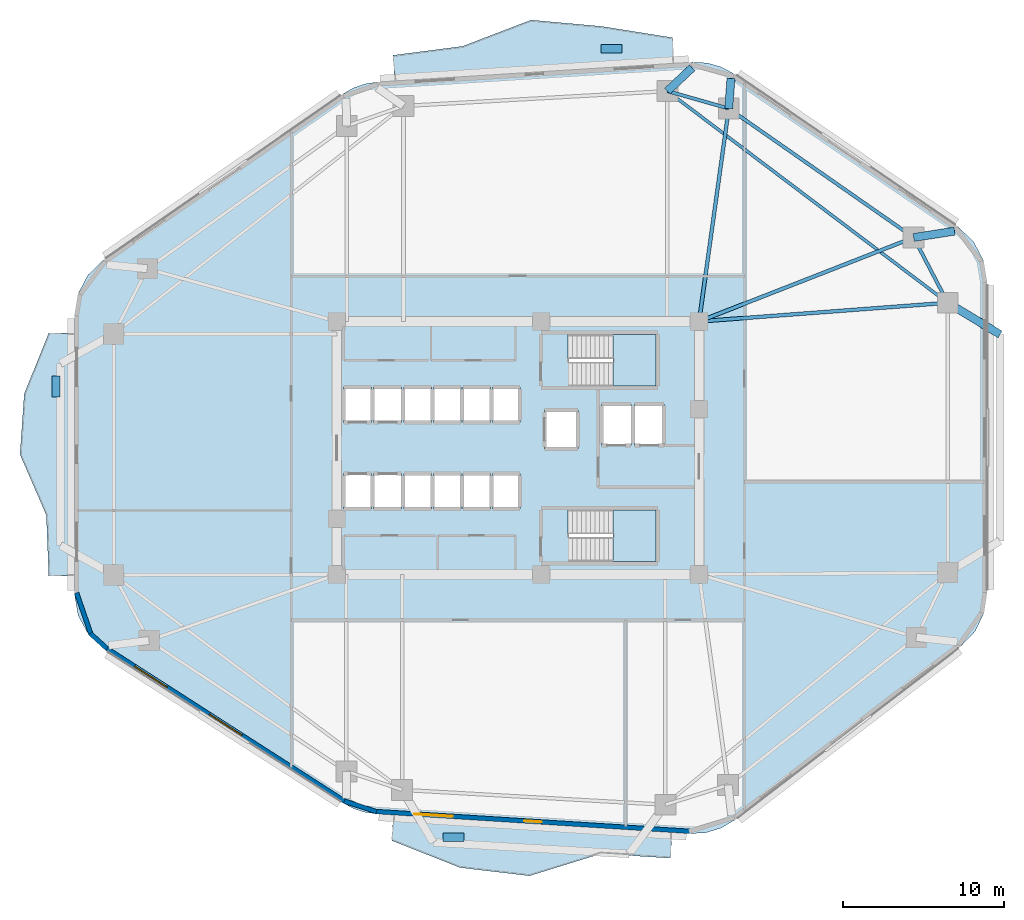
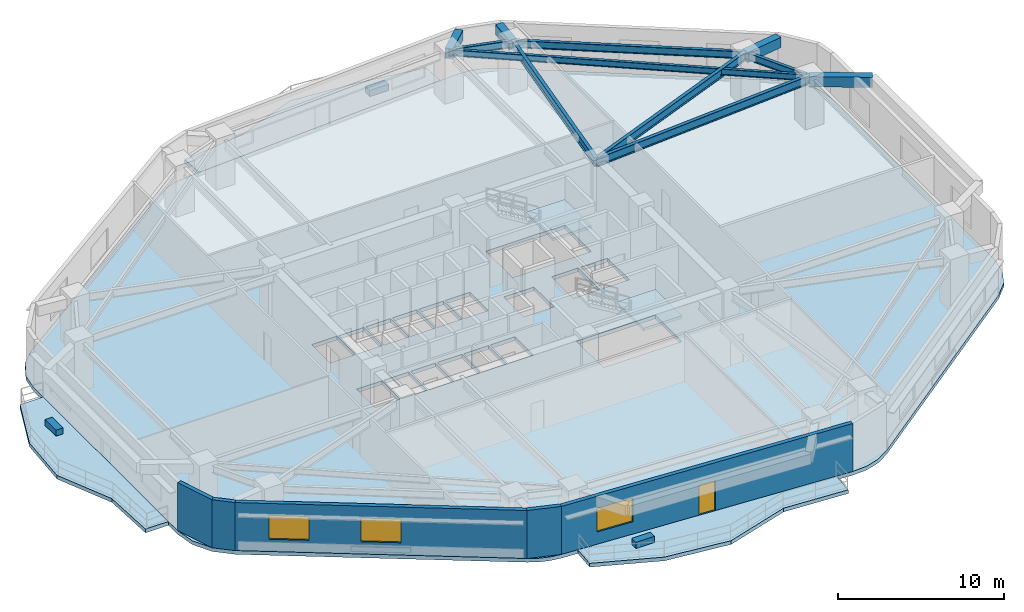
# One storey, part 2 of 9: 11 beams, 6 slabs, 5 walls, 3 plates, 3 windows, 1 door, 4 openings, 2 elements without a shape of their own.
"""IFC4 building model written with IfcOpenShell, lengths in metres."""

import ifcopenshell
import ifcopenshell.guid

model = None  # the IFC model being written
_history = None  # IfcOwnerHistory: only IFC2X3 demands one
_inside = {}  # id of a spatial element -> (the spatial element, [elements in it])
_under = {}  # id of a project, library or spatial element -> (it, [spatial elements below it])
_declared = {}  # id of a project -> (the project, [libraries it declares])
_typed = {}  # id of a type object -> (the type object, [elements of that type])
_made_of = {}  # id of a material, layer set ... -> (it, [elements and type objects made of it])


def new_model(schema):
    """Start an empty IFC model of exactly this schema.

    Asked for "IFC4X3", IfcOpenShell would pick the latest addendum, in which some entities
    have other attributes; the version numbers below select the first issue.
    IFC2X3 requires an IfcOwnerHistory on every rooted entity: one is made here for all.
    """
    global model, _history
    if schema == "IFC4X3":
        model = ifcopenshell.file(schema_version=(4, 3, 0, 0))
    else:
        model = ifcopenshell.file(schema=schema)
    _inside.clear()
    _under.clear()
    _declared.clear()
    _typed.clear()
    _made_of.clear()
    _history = None
    if model.schema == "IFC2X3":
        org = make("IfcOrganization", Name="unknown")
        user = make(
            "IfcPersonAndOrganization",
            ThePerson=make("IfcPerson", FamilyName="unknown"),
            TheOrganization=org,
        )
        app = make(
            "IfcApplication",
            ApplicationDeveloper=org,
            Version="unknown",
            ApplicationFullName="unknown",
            ApplicationIdentifier="unknown",
        )
        _history = make(
            "IfcOwnerHistory",
            OwningUser=user,
            OwningApplication=app,
            ChangeAction="ADDED",
            CreationDate=0,
        )
    return model


def make(cls, **values):
    """One entity of the class cls with the attributes given. An attribute that is None is left unset."""
    return model.create_entity(
        cls, **{name: value for name, value in values.items() if value is not None}
    )


def rooted(cls, **values):
    """An entity with a GlobalId (a new one), such as an element, a storey or a relation."""
    return make(cls, GlobalId=ifcopenshell.guid.new(), OwnerHistory=_history, **values)


def si_unit(unit_type, name, prefix=None):
    """IfcSIUnit, for example si_unit("LENGTHUNIT", "METRE", prefix="MILLI")."""
    return make("IfcSIUnit", UnitType=unit_type, Prefix=prefix, Name=name)


def assignment(units):
    """IfcUnitAssignment: the units of a project."""
    return None if units is None else make("IfcUnitAssignment", Units=units)


def point(xyz):
    """IfcCartesianPoint."""
    return None if xyz is None else make("IfcCartesianPoint", Coordinates=xyz)


def direction(xyz):
    """IfcDirection."""
    return None if xyz is None else make("IfcDirection", DirectionRatios=xyz)


def frame(location, z_axis=None, x_axis=None):
    """IfcAxis2Placement3D, a coordinate frame: its origin and axes. An axis left out is left unset."""
    return make(
        "IfcAxis2Placement3D",
        Location=point(location),
        Axis=direction(z_axis),
        RefDirection=direction(x_axis),
    )


def frame_2d(location, x_axis=None):
    """IfcAxis2Placement2D, a coordinate frame in the plane: its origin and x axis."""
    return make(
        "IfcAxis2Placement2D", Location=point(location), RefDirection=direction(x_axis)
    )


def origin():
    """The frame at (0, 0, 0) with its axes left unset."""
    return frame((0.0, 0.0, 0.0))


def origin_2d():
    """The frame at (0, 0) in the plane with its x axis left unset."""
    return frame_2d((0.0, 0.0))


def place(relative_to, where):
    """IfcLocalPlacement: puts the frame where relative to a parent placement (None: the world)."""
    return make(
        "IfcLocalPlacement", PlacementRelTo=relative_to, RelativePlacement=where
    )


def context(
    kind, dimensions, precision=None, world=None, true_north=None, identifier=None
):
    """IfcGeometricRepresentationContext, for example the 3D "Model" context."""
    return make(
        "IfcGeometricRepresentationContext",
        ContextIdentifier=identifier,
        ContextType=kind,
        CoordinateSpaceDimension=dimensions,
        Precision=precision,
        WorldCoordinateSystem=world,
        TrueNorth=true_north,
    )


def subcontext(parent, identifier, kind, view, scale=None):
    """IfcGeometricRepresentationSubContext, for example "Body" below "Model"."""
    return make(
        "IfcGeometricRepresentationSubContext",
        ContextIdentifier=identifier,
        ContextType=kind,
        ParentContext=parent,
        TargetScale=scale,
        TargetView=view,
    )


def project(units=None, contexts=None):
    """IfcProject with its units and contexts."""
    return rooted(
        "IfcProject",
        Name="project",
        RepresentationContexts=contexts,
        UnitsInContext=assignment(units),
    )


def spatial(cls, under=None, at=None, **own):
    """A site, building, storey or space (cls), placed at a placement, below another one or the project."""
    s = rooted(cls, ObjectPlacement=at, **own)
    if under is not None:
        _under.setdefault(under.id(), (under, []))[1].append(s)
    return s


def polyline(points):
    """IfcPolyline through the points."""
    return make("IfcPolyline", Points=[point(p) for p in points])


def profile(cls, at=None, kind="AREA", **sizes):
    """A parametric profile (cls). Its sizes go by their IFC names, for example OverallWidth=200.0."""
    return make(cls, ProfileType=kind, Position=at, **sizes)


def rectangle(**sizes):
    """IfcRectangleProfileDef."""
    return profile("IfcRectangleProfileDef", **sizes)


def i_section(**sizes):
    """IfcIShapeProfileDef."""
    return profile("IfcIShapeProfileDef", **sizes)


def outline(outer, holes=None, kind="AREA"):
    """IfcArbitraryClosedProfileDef: a profile drawn as a closed curve; with holes, ...WithVoids."""
    if holes is None:
        return make("IfcArbitraryClosedProfileDef", ProfileType=kind, OuterCurve=outer)
    return make(
        "IfcArbitraryProfileDefWithVoids",
        ProfileType=kind,
        OuterCurve=outer,
        InnerCurves=holes,
    )


def extrude(swept, where, along, depth):
    """IfcExtrudedAreaSolid: the profile swept, set in the frame where, extruded along a direction by depth."""
    return make(
        "IfcExtrudedAreaSolid",
        SweptArea=swept,
        Position=where,
        ExtrudedDirection=direction(along),
        Depth=depth,
    )


def shape(context_of_items, identifier, shape_type, items):
    """IfcShapeRepresentation: the items that make up one representation, for example the "Body"."""
    return make(
        "IfcShapeRepresentation",
        ContextOfItems=context_of_items,
        RepresentationIdentifier=identifier,
        RepresentationType=shape_type,
        Items=items,
    )


def material(Name=None, Category=None):
    """IfcMaterial."""
    return make("IfcMaterial", Name=Name, Category=Category)


def layer(
    of_material, thickness, ventilated=None, Name=None, Category=None, Priority=None
):
    """IfcMaterialLayer: one layer of a wall or slab, of a material (None: an air gap)."""
    return make(
        "IfcMaterialLayer",
        Material=of_material,
        LayerThickness=thickness,
        IsVentilated=ventilated,
        Name=Name,
        Category=Category,
        Priority=Priority,
    )


def layer_set(layers, Name=None):
    """IfcMaterialLayerSet."""
    return make("IfcMaterialLayerSet", MaterialLayers=layers, LayerSetName=Name)


def material_profile(
    of_material, cross_section, Name=None, Category=None, Priority=None
):
    """IfcMaterialProfile: a cross section and its material."""
    return make(
        "IfcMaterialProfile",
        Name=Name,
        Material=of_material,
        Profile=cross_section,
        Priority=Priority,
        Category=Category,
    )


def profile_set(profiles, Name=None, composite=None):
    """IfcMaterialProfileSet."""
    return make(
        "IfcMaterialProfileSet",
        Name=Name,
        MaterialProfiles=profiles,
        CompositeProfile=composite,
    )


def made_of(thing, what):
    """Note that an element or type object is made of a material, layer set ...; save() writes the relation."""
    if what is not None:
        _made_of.setdefault(what.id(), (what, []))[1].append(thing)
    return thing


def type_object(cls, material=None, **own):
    """A type object (cls), such as IfcWallType, which elements share."""
    return made_of(rooted(cls, **own), material)


def element(
    cls,
    number,
    at=None,
    inside=None,
    cuts=None,
    type_object=None,
    material=None,
    context=None,
    identifier="Body",
    shape_type=None,
    held_by="IfcProductDefinitionShape",
    body=None,
    shapes=None,
    **own,
):
    """One element of the class cls, such as IfcWall. Its Tag is "e" and its number.

    at: its placement. inside: the storey or other place that contains it. cuts: it is an
    opening in that element (IfcRelVoidsElement). A single representation is given by context,
    identifier, shape_type and body (its items); several are given by shapes. held_by: the class
    of the entity that holds the representations. save() writes the other relations.
    """
    e = rooted(cls, Tag="e%d" % number, ObjectPlacement=at, **own)
    if body is not None:
        shapes = [shape(context, identifier, shape_type, body)]
    if shapes is not None:
        e.Representation = make(held_by, Representations=shapes)
    if inside is not None:
        _inside.setdefault(inside.id(), (inside, []))[1].append(e)
    if cuts is not None:
        rooted(
            "IfcRelVoidsElement", RelatingBuildingElement=cuts, RelatedOpeningElement=e
        )
    if type_object is not None:
        _typed.setdefault(type_object.id(), (type_object, []))[1].append(e)
    return made_of(e, material)


def fill(opening, filler):
    """IfcRelFillsElement: the door or window that sits in an opening."""
    return rooted(
        "IfcRelFillsElement",
        RelatingOpeningElement=opening,
        RelatedBuildingElement=filler,
    )


def aggregate(whole, parts):
    """IfcRelAggregates: a whole, such as a stair, and the parts it consists of."""
    return rooted("IfcRelAggregates", RelatingObject=whole, RelatedObjects=parts)


def save(model, path):
    """Write the relations noted so far, then the file.

    IfcRelAggregates (storeys below a building ...), IfcRelContainedInSpatialStructure (elements
    in a storey), IfcRelDefinesByType, IfcRelAssociatesMaterial and IfcRelDeclares: one each for
    every whole, place, type object, material and project.
    """
    for whole, parts in _under.values():
        aggregate(whole, parts)
    for where, things in _inside.values():
        rooted(
            "IfcRelContainedInSpatialStructure",
            RelatedElements=things,
            RelatingStructure=where,
        )
    for kind, things in _typed.values():
        rooted("IfcRelDefinesByType", RelatedObjects=things, RelatingType=kind)
    for what, things in _made_of.values():
        rooted("IfcRelAssociatesMaterial", RelatedObjects=things, RelatingMaterial=what)
    for by, libraries in _declared.values():
        rooted("IfcRelDeclares", RelatingContext=by, RelatedDefinitions=libraries)
    model.write(path)


model = new_model("IFC4")

# Units and contexts
model_context = context("Model", 3, precision=1e-05, world=origin(), true_north=direction((0.0, 1.0)))
body_context = subcontext(model_context, "Body", "Model", "MODEL_VIEW")
ifc_project = project(units=[si_unit("LENGTHUNIT", "METRE"), si_unit("AREAUNIT", "SQUARE_METRE"), si_unit("VOLUMEUNIT", "CUBIC_METRE"), si_unit("PLANEANGLEUNIT", "RADIAN"), si_unit("MASSUNIT", "GRAM", prefix="KILO")], contexts=[model_context])

# Site, building, storey
site_placement = place(None, origin())
site = spatial("IfcSite", under=ifc_project, at=site_placement, CompositionType="ELEMENT")
building_placement = place(site_placement, origin())
building = spatial("IfcBuilding", under=site, at=building_placement, Name="Zulverin Broadcast Headquarters", CompositionType="ELEMENT")
storey_placement = place(building_placement, frame((0.0, 0.0, 74.39990234375)))
storey = spatial("IfcBuildingStorey", under=building, at=storey_placement, Name="L18", CompositionType="ELEMENT", Elevation=74.39990234375)

# Beams
ifc_material_1 = material(Name="Concrete C40/50", Category="concrete")
ifc_material_profile_1 = material_profile(ifc_material_1, rectangle(XDim=0.5, YDim=0.75, at=origin_2d()), Name="Concrete C40/50", Category="concrete")
ifc_profile_set_1 = profile_set([ifc_material_profile_1], Name="Concrete C40/50")
beam_type_1 = type_object("IfcBeamType", Name="BM-RC-500x750", PredefinedType="BEAM", material=ifc_profile_set_1)
beam_1_placement = place(storey_placement, frame((61.630126953125, 38.298583984375, 3.150146484375), z_axis=(0.988133444256, 0.153597839639, 0.0), x_axis=(-0.153597839639, 0.988133444256, 0.0)))
element("IfcBeam", 1, at=beam_1_placement, inside=storey, type_object=beam_type_1, Name="L19 Plate Overhang Back-Spanned Beam OVR-07", PredefinedType="BEAM", context=body_context, shape_type="SweptSolid", body=[
    extrude(rectangle(XDim=0.5, YDim=0.75, at=origin_2d()), origin(), (0.0, 0.0, 1.0), 2.57177734375),
])
beam_2_placement = place(storey_placement, frame((50.121826171875, 46.325927734375, 3.150146484375), z_axis=(0.073023006252, 0.997330256514, 0.0), x_axis=(-0.997330256514, 0.073023006252, 0.0)))
element("IfcBeam", 2, at=beam_2_placement, inside=storey, type_object=beam_type_1, Name="L19 Plate Overhang Back-Spanned Beam OVR-08", PredefinedType="BEAM", context=body_context, shape_type="SweptSolid", body=[
    extrude(rectangle(XDim=0.5, YDim=0.75, at=origin_2d()), origin(), (0.0, 0.0, 1.0), 1.875732421875),
])
beam_3_placement = place(storey_placement, frame((46.30224609375, 47.4091796875, 3.150146484375), z_axis=(0.728504534792, 0.685040978911, 0.0), x_axis=(-0.685040978911, 0.728504534792, 0.0)))
element("IfcBeam", 3, at=beam_3_placement, inside=storey, type_object=beam_type_1, Name="L19 Plate Overhang Back-Spanned Beam OVR-09", PredefinedType="BEAM", context=body_context, shape_type="SweptSolid", body=[
    extrude(rectangle(XDim=0.5, YDim=0.75, at=origin_2d()), origin(), (0.0, 0.0, 1.0), 2.11767578125),
])
beam_4_placement = place(storey_placement, frame((63.75, 34.235107421875, 3.150146484375), z_axis=(0.855593685746, -0.517647993246, 0.0), x_axis=(0.517647993246, 0.855593685746, 0.0)))
element("IfcBeam", 4, at=beam_4_placement, inside=storey, type_object=beam_type_1, Name="L19 Balcony Column-Framed Cantilever BAL_E-2", PredefinedType="BEAM", context=body_context, shape_type="SweptSolid", body=[
    extrude(rectangle(XDim=0.5, YDim=0.75, at=origin_2d()), origin(), (0.0, 0.0, 1.0), 3.800048828125),
])
ifc_material_2 = material(Name="Structural steel S355JR", Category="steel")
ifc_material_profile_2 = material_profile(ifc_material_2, i_section(OverallWidth=0.19287109375, OverallDepth=0.46728515625, WebThickness=0.011474609375, FlangeThickness=0.01953125, at=origin_2d()), Name="Structural steel S355JR", Category="steel")
ifc_profile_set_2 = profile_set([ifc_material_profile_2], Name="Structural steel S355JR")
beam_type_2 = type_object("IfcBeamType", Name="BM-UB-457", PredefinedType="JOIST", material=ifc_profile_set_2)
beam_5_placement = place(storey_placement, frame((63.75, 34.235107421875, 3.29150390625), z_axis=(-0.798058136838, 0.602580459546, 0.0), x_axis=(-0.602580459546, -0.798058136838, 0.0)))
element("IfcBeam", 5, at=beam_5_placement, inside=storey, type_object=beam_type_2, Name="L18 Chordal Floor Joist J-02", PredefinedType="JOIST", context=body_context, shape_type="SweptSolid", body=[
    extrude(i_section(OverallWidth=0.19287109375, OverallDepth=0.46728515625, WebThickness=0.011474609375, FlangeThickness=0.01953125, at=origin_2d()), origin(), (0.0, 0.0, 1.0), 21.86279296875),
])
ifc_material_profile_3 = material_profile(ifc_material_2, i_section(OverallWidth=0.2119140625, OverallDepth=0.54443359375, WebThickness=0.0126953125, FlangeThickness=0.021240234375, at=origin_2d()), Name="Structural steel S355JR", Category="steel")
ifc_profile_set_3 = profile_set([ifc_material_profile_3], Name="Structural steel S355JR")
beam_type_3 = type_object("IfcBeamType", Name="BM-UB-533", PredefinedType="SPANDREL", material=ifc_profile_set_3)
beam_6_placement = place(storey_placement, frame((63.75, 34.235107421875, 3.252685546875), z_axis=(-0.462531417359, 0.886602891917, 0.0), x_axis=(-0.886602891917, -0.462531417359, 0.0)))
element("IfcBeam", 6, at=beam_6_placement, inside=storey, type_object=beam_type_3, Name="L18 Perimeter Spandrel Beam SP-06", PredefinedType="SPANDREL", context=body_context, shape_type="SweptSolid", body=[
    extrude(i_section(OverallWidth=0.2119140625, OverallDepth=0.54443359375, WebThickness=0.0126953125, FlangeThickness=0.021240234375, at=origin_2d()), origin(), (0.0, 0.0, 1.0), 4.583251953125),
])
beam_7_placement = place(storey_placement, frame((61.630126953125, 38.298583984375, 3.252685546875), z_axis=(-0.820183915206, 0.5720999434, 0.0), x_axis=(-0.5720999434, -0.820183915206, 0.0)))
element("IfcBeam", 7, at=beam_7_placement, inside=storey, type_object=beam_type_3, Name="L18 Perimeter Spandrel Beam SP-07", PredefinedType="SPANDREL", context=body_context, shape_type="SweptSolid", body=[
    extrude(i_section(OverallWidth=0.2119140625, OverallDepth=0.54443359375, WebThickness=0.0126953125, FlangeThickness=0.021240234375, at=origin_2d()), origin(), (0.0, 0.0, 1.0), 14.03125),
])
beam_8_placement = place(storey_placement, frame((50.121826171875, 46.325927734375, 3.252685546875), z_axis=(-0.962058150721, 0.272844487999, 0.0), x_axis=(-0.272844487999, -0.962058150721, 0.0)))
element("IfcBeam", 8, at=beam_8_placement, inside=storey, type_object=beam_type_3, Name="L18 Perimeter Spandrel Beam SP-08", PredefinedType="SPANDREL", context=body_context, shape_type="SweptSolid", body=[
    extrude(i_section(OverallWidth=0.2119140625, OverallDepth=0.54443359375, WebThickness=0.0126953125, FlangeThickness=0.021240234375, at=origin_2d()), origin(), (0.0, 0.0, 1.0), 3.97021484375),
])
ifc_material_profile_4 = material_profile(ifc_material_2, i_section(OverallWidth=0.230224609375, OverallDepth=0.6171875, WebThickness=0.01318359375, FlangeThickness=0.022216796875, at=origin_2d()), Name="Structural steel S355JR", Category="steel")
ifc_profile_set_4 = profile_set([ifc_material_profile_4], Name="Structural steel S355JR")
beam_type_4 = type_object("IfcBeamType", Name="BM-UB-610", PredefinedType="BEAM", material=ifc_profile_set_4)
beam_9_placement = place(storey_placement, frame((48.27490234375, 33.074951171875, 3.216552734375), z_axis=(0.997201597387, 0.074759442003, 0.0), x_axis=(-0.074759442003, 0.997201597387, 0.0)))
element("IfcBeam", 9, at=beam_9_placement, inside=storey, type_object=beam_type_4, Name="L18 Radial Primary Floor Beam RB-06", PredefinedType="BEAM", context=body_context, shape_type="SweptSolid", body=[
    extrude(i_section(OverallWidth=0.230224609375, OverallDepth=0.6171875, WebThickness=0.01318359375, FlangeThickness=0.022216796875, at=origin_2d()), origin(), (0.0, 0.0, 1.0), 15.5185546875),
])
beam_10_placement = place(storey_placement, frame((48.27490234375, 33.074951171875, 3.216552734375), z_axis=(0.931297778153, 0.364258765723, 0.0), x_axis=(-0.364258765723, 0.931297778153, 0.0)))
element("IfcBeam", 10, at=beam_10_placement, inside=storey, type_object=beam_type_4, Name="L18 Radial Primary Floor Beam RB-07", PredefinedType="BEAM", context=body_context, shape_type="SweptSolid", body=[
    extrude(i_section(OverallWidth=0.230224609375, OverallDepth=0.6171875, WebThickness=0.01318359375, FlangeThickness=0.022216796875, at=origin_2d()), origin(), (0.0, 0.0, 1.0), 14.34033203125),
])
beam_11_placement = place(storey_placement, frame((48.27490234375, 33.074951171875, 3.216552734375), z_axis=(0.138045758193, 0.990425852169, 0.0), x_axis=(-0.990425852169, 0.138045758193, 0.0)))
element("IfcBeam", 11, at=beam_11_placement, inside=storey, type_object=beam_type_4, Name="L18 Radial Primary Floor Beam RB-08", PredefinedType="BEAM", context=body_context, shape_type="SweptSolid", body=[
    extrude(i_section(OverallWidth=0.230224609375, OverallDepth=0.6171875, WebThickness=0.01318359375, FlangeThickness=0.022216796875, at=origin_2d()), origin(), (0.0, 0.0, 1.0), 13.379150390625),
])

# Plates
ifc_material_3 = material(Name="Precast concrete C45/55", Category="concrete")
ifc_layer_1 = layer(ifc_material_3, 0.449951171875, Name="Precast concrete C45/55", Category="concrete")
ifc_layer_set_1 = layer_set([ifc_layer_1], Name="Precast concrete C45/55")
plate_type = type_object("IfcPlateType", Name="PT-01_PRECAST_GFRC_TREE_PLANTER", PredefinedType="USERDEFINED", material=ifc_layer_set_1)
for number, where, z_axis, x_axis, name in (
    (12, (42.825927734375, 50.04638671875, -0.0048828125), (0.0, 0.0, 1.0), (1.0, 0.0, 0.0), "L18 Precast GFRC Tree Planter BAL_N"),
    (13, (8.25, 29.022216796875, -0.0048828125), (0.0, 0.0, 1.0), (0.0, 1.0, 0.0), "L18 Precast GFRC Tree Planter BAL_W"),
    (14, (32.993408203125, 0.973876953125, -0.0048828125), (0.0, 0.0, 1.0), (1.0, 0.0, 0.0), "L18 Precast GFRC Tree Planter BAL_S"),
):
    element("IfcPlate", number, at=place(storey_placement, frame(where, z_axis=z_axis, x_axis=x_axis)), inside=storey, type_object=plate_type, Name=name, ObjectType="PLANTER", PredefinedType="USERDEFINED", context=body_context, shape_type="SweptSolid", body=[
        extrude(rectangle(XDim=1.300048828125, YDim=0.5, at=origin_2d()), origin(), (0.0, 0.0, 1.0), 0.449951171875),
    ])

# Slabs
ifc_layer_2 = layer(ifc_material_1, 0.27490234375, Name="Concrete C40/50", Category="concrete")
ifc_layer_set_2 = layer_set([ifc_layer_2], Name="Concrete C40/50")
slab_type_1 = type_object("IfcSlabType", Name="SLB-BAL-275", PredefinedType="FLOOR", material=ifc_layer_set_2)
slab_1_placement = place(storey_placement, frame((0.0, 0.0, -0.27490234375)))
element("IfcSlab", 15, at=slab_1_placement, inside=storey, type_object=slab_type_1, Name="L18 Cantilevered Planted Balcony Slab BAL_N", PredefinedType="FLOOR", context=body_context, shape_type="SweptSolid", body=[
    extrude(outline(polyline([(29.330078125, 48.04296875), (46.72509765625, 49.139892578125), (46.62451171875, 50.73681640625), (42.214111328125, 51.439453125), (37.8232421875, 51.8349609375), (33.56005859375, 50.2041015625), (29.2294921875, 49.639892578125), (29.330078125, 48.04296875)])), origin(), (0.0, 0.0, 1.0), 0.27490234375),
])
slab_2_placement = place(storey_placement, frame((0.0, 0.0, -0.27490234375)))
element("IfcSlab", 16, at=slab_2_placement, inside=storey, type_object=slab_type_1, Name="L18 Cantilevered Planted Balcony Slab BAL_W", PredefinedType="FLOOR", context=body_context, shape_type="SweptSolid", body=[
    extrude(outline(polyline([(9.39990234375, 17.24365234375), (9.39990234375, 32.344482421875), (7.800048828125, 32.344482421875), (6.27490234375, 28.569091796875), (6.01220703125, 24.7939453125), (7.651123046875, 21.018798828125), (7.800048828125, 17.24365234375), (9.39990234375, 17.24365234375)])), origin(), (0.0, 0.0, 1.0), 0.27490234375),
])
slab_3_placement = place(storey_placement, frame((0.0, 0.0, -0.27490234375)))
element("IfcSlab", 17, at=slab_3_placement, inside=storey, type_object=slab_type_1, Name="L18 Cantilevered Planted Balcony Slab BAL_S", PredefinedType="FLOOR", context=body_context, shape_type="SweptSolid", body=[
    extrude(outline(polyline([(46.5927734375, 1.268310546875), (29.250244140625, 2.3623046875), (29.149658203125, 0.765380859375), (33.396484375, -0.9169921875), (37.717041015625, -1.42822265625), (42.156494140625, -0.054931640625), (46.4921875, -0.328369140625), (46.5927734375, 1.268310546875)])), origin(), (0.0, 0.0, 1.0), 0.27490234375),
])

# Stair, slab
stair_type = type_object("IfcStairType", Name="ST-CORE-1500", PredefinedType="HALF_TURN_STAIR", material=ifc_material_1)
stair_1_placement = place(storey_placement, origin())
stair_1 = element("IfcStair", 18, at=stair_1_placement, inside=storey, type_object=stair_type, Name="L18 Core Exit Stair ST-1", PredefinedType="HALF_TURN_STAIR")
ifc_layer_3 = layer(ifc_material_1, 0.199951171875, Name="Concrete C40/50", Category="concrete")
ifc_layer_set_3 = layer_set([ifc_layer_3], Name="Concrete C40/50")
slab_type_2 = type_object("IfcSlabType", Name="SLB-ST-LND200", PredefinedType="LANDING", material=ifc_layer_set_3)
slab_4_placement = place(storey_placement, frame((0.0, 0.0, 1.7001953125)))
slab_4 = element("IfcSlab", 19, at=slab_4_placement, type_object=slab_type_2, Name="ST-1 landing 1", PredefinedType="LANDING", context=body_context, shape_type="SweptSolid", body=[
    extrude(outline(polyline([(42.929931640625, 29.050048828125), (45.60009765625, 29.050048828125), (45.60009765625, 32.25), (42.929931640625, 32.25), (42.929931640625, 29.050048828125)])), origin(), (0.0, 0.0, 1.0), 0.199951171875),
])
aggregate(stair_1, [slab_4])

stair_2_placement = place(storey_placement, origin())
stair_2 = element("IfcStair", 20, at=stair_2_placement, inside=storey, type_object=stair_type, Name="L18 Core Exit Stair ST-2", PredefinedType="HALF_TURN_STAIR")
slab_5_placement = place(storey_placement, frame((0.0, 0.0, 1.7001953125)))
slab_5 = element("IfcSlab", 21, at=slab_5_placement, type_object=slab_type_2, Name="ST-2 landing 1", PredefinedType="LANDING", context=body_context, shape_type="SweptSolid", body=[
    extrude(outline(polyline([(42.929931640625, 18.14990234375), (45.60009765625, 18.14990234375), (45.60009765625, 21.35009765625), (42.929931640625, 21.35009765625), (42.929931640625, 18.14990234375)])), origin(), (0.0, 0.0, 1.0), 0.199951171875),
])
aggregate(stair_2, [slab_5])

# Slab
ifc_layer_4 = layer(ifc_material_1, 0.27490234375, Name="Concrete C40/50", Category="concrete")
ifc_layer_set_4 = layer_set([ifc_layer_4], Name="Concrete C40/50")
slab_type_3 = type_object("IfcSlabType", Name="SLB-TWR-275", PredefinedType="FLOOR", material=ifc_layer_set_4)
slab_6_placement = place(storey_placement, frame((0.0, 0.0, -0.27490234375)))
element("IfcSlab", 22, at=slab_6_placement, inside=storey, type_object=slab_type_3, Name="L18 Main Structural Floor Slab", PredefinedType="FLOOR", context=body_context, shape_type="SweptSolid", body=[
    extrude(outline(polyline([(26.146484375, 3.089599609375), (26.774658203125, 2.75732421875), (27.44970703125, 2.535888671875), (28.152587890625, 2.431396484375), (47.690673828125, 1.19921875), (48.69189453125, 1.256103515625), (49.6513671875, 1.548828125), (50.51416015625, 2.060546875), (64.55908203125, 12.85302734375), (65.44140625, 13.77587890625), (66.005859375, 14.92138671875), (66.199951171875, 16.183349609375), (66.199951171875, 35.514404296875), (65.981689453125, 36.85107421875), (65.349365234375, 38.048583984375), (64.368896484375, 38.982666015625), (50.456298828125, 48.485595703125), (49.639404296875, 48.920166015625), (48.747314453125, 49.165283203125), (47.822998046875, 49.208984375), (28.232421875, 47.9736328125), (27.481201171875, 47.857421875), (26.76318359375, 47.607666015625), (26.102294921875, 47.232666015625), (11.20556640625, 36.89501953125), (10.238037109375, 35.9619140625), (9.614990234375, 34.77099609375), (9.39990234375, 33.4443359375), (9.39990234375, 16.1435546875), (9.631103515625, 14.769775390625), (10.298583984375, 13.547119140625), (11.32958984375, 12.610107421875), (26.146484375, 3.089599609375)]), holes=[polyline([(40.155029296875, 30.75), (40.130126953125, 30.75), (40.130126953125, 32.25), (45.60009765625, 32.25), (45.60009765625, 29.050048828125), (40.155029296875, 29.050048828125), (40.155029296875, 30.75)]), polyline([(40.155029296875, 19.85009765625), (40.130126953125, 19.85009765625), (40.130126953125, 21.35009765625), (45.60009765625, 21.35009765625), (45.60009765625, 18.14990234375), (40.155029296875, 18.14990234375), (40.155029296875, 19.85009765625)]), polyline([(26.14990234375, 26.800048828125), (27.89990234375, 26.800048828125), (27.89990234375, 29.0), (26.14990234375, 29.0), (26.14990234375, 26.800048828125)]), polyline([(28.02001953125, 26.800048828125), (29.77001953125, 26.800048828125), (29.77001953125, 29.0), (28.02001953125, 29.0), (28.02001953125, 26.800048828125)]), polyline([(26.14990234375, 21.39990234375), (27.89990234375, 21.39990234375), (27.89990234375, 23.60009765625), (26.14990234375, 23.60009765625), (26.14990234375, 21.39990234375)]), polyline([(28.02001953125, 21.39990234375), (29.77001953125, 21.39990234375), (29.77001953125, 23.60009765625), (28.02001953125, 23.60009765625), (28.02001953125, 21.39990234375)]), polyline([(29.89990234375, 21.39990234375), (31.6201171875, 21.39990234375), (31.6201171875, 23.60009765625), (29.89990234375, 23.60009765625), (29.89990234375, 21.39990234375)]), polyline([(31.739990234375, 21.39990234375), (33.4599609375, 21.39990234375), (33.4599609375, 23.60009765625), (31.739990234375, 23.60009765625), (31.739990234375, 21.39990234375)]), polyline([(33.580078125, 21.39990234375), (35.300048828125, 21.39990234375), (35.300048828125, 23.60009765625), (33.580078125, 23.60009765625), (33.580078125, 21.39990234375)]), polyline([(35.419921875, 21.39990234375), (37.139892578125, 21.39990234375), (37.139892578125, 23.60009765625), (35.419921875, 23.60009765625), (35.419921875, 21.39990234375)]), polyline([(29.89990234375, 26.800048828125), (31.6201171875, 26.800048828125), (31.6201171875, 29.0), (29.89990234375, 29.0), (29.89990234375, 26.800048828125)]), polyline([(31.739990234375, 26.800048828125), (33.4599609375, 26.800048828125), (33.4599609375, 29.0), (31.739990234375, 29.0), (31.739990234375, 26.800048828125)]), polyline([(33.580078125, 26.800048828125), (35.300048828125, 26.800048828125), (35.300048828125, 29.0), (33.580078125, 29.0), (33.580078125, 26.800048828125)]), polyline([(35.419921875, 26.800048828125), (37.139892578125, 26.800048828125), (37.139892578125, 29.0), (35.419921875, 29.0), (35.419921875, 26.800048828125)]), polyline([(42.199951171875, 25.35009765625), (44.050048828125, 25.35009765625), (44.050048828125, 27.949951171875), (42.199951171875, 27.949951171875), (42.199951171875, 25.35009765625)]), polyline([(44.25, 25.35009765625), (46.10009765625, 25.35009765625), (46.10009765625, 27.949951171875), (44.25, 27.949951171875), (44.25, 25.35009765625)]), polyline([(38.64990234375, 25.14990234375), (40.75, 25.14990234375), (40.75, 27.550048828125), (38.64990234375, 27.550048828125), (38.64990234375, 25.14990234375)])]), origin(), (0.0, 0.0, 1.0), 0.27490234375),
])

# Wall, openings, door, window
ifc_material_4 = material(Name="Insulated pale-metal clad concrete spandrel C40/50", Category="concrete")
ifc_layer_5 = layer(ifc_material_4, 0.280029296875, Name="Insulated pale-metal clad concrete spandrel C40/50", Category="concrete")
ifc_layer_set_5 = layer_set([ifc_layer_5], Name="Insulated pale-metal clad concrete spandrel C40/50")
wall_type = type_object("IfcWallType", Name="WL-EXT-280", PredefinedType="STANDARD", material=ifc_layer_set_5)
wall_1_placement = place(storey_placement, frame((28.161376953125, 2.571044921875, 0.0), z_axis=(0.0, 0.0, 1.0), x_axis=(0.998017288298, -0.06294038654, 0.0)))
wall_1 = element("IfcWall", 23, at=wall_1_placement, inside=storey, type_object=wall_type, Name="L18 Pale-Metal Clad Spandrel Wall 1", PredefinedType="STANDARD", context=body_context, shape_type="SweptSolid", body=[
    extrude(rectangle(XDim=19.576904296875, YDim=0.280029296875, at=frame_2d((9.78857421875, 0.0))), origin(), (0.0, 0.0, 1.0), 3.525146484375),
])
opening_1_placement = place(wall_1_placement, frame((9.238525390625, 0.0, 0.0)))
opening_1 = element("IfcOpeningElement", 24, at=opening_1_placement, cuts=wall_1, Name="Opening D-L18-TR1", PredefinedType="OPENING", context=body_context, shape_type="SweptSolid", body=[
    extrude(rectangle(XDim=1.10009765625, YDim=2.199951171875, at=frame_2d((0.550048828125, 1.10009765625))), frame((0.0, 0.14990234375, 0.0), z_axis=(0.0, -1.0, 0.0), x_axis=(1.0, 0.0, 0.0)), (0.0, 0.0, 1.0), 0.300048828125),
])
opening_2_placement = place(wall_1_placement, frame((2.396240234375, 0.0, 0.89990234375)))
opening_2 = element("IfcOpeningElement", 25, at=opening_2_placement, cuts=wall_1, Name="Opening W-L18-E11", PredefinedType="OPENING", context=body_context, shape_type="SweptSolid", body=[
    extrude(rectangle(XDim=2.39990234375, YDim=1.75, at=frame_2d((1.199951171875, 0.875))), frame((0.0, 0.14990234375, 0.0), z_axis=(0.0, -1.0, 0.0), x_axis=(1.0, 0.0, 0.0)), (0.0, 0.0, 1.0), 0.300048828125),
])
ifc_material_5 = material(Name="Thermally broken aluminium glazed", Category="aluminium")
door_type = type_object("IfcDoorType", Name="DR-TERR-1100", OperationType="SINGLE_SWING_RIGHT", PredefinedType="DOOR", material=ifc_material_5)
door_placement = place(opening_1_placement, origin())
door = element("IfcDoor", 26, at=door_placement, inside=storey, type_object=door_type, Name="L18 Planted Terrace Glazed Access Door 1", OperationType="SINGLE_SWING_RIGHT", OverallHeight=2.199951171875, OverallWidth=1.10009765625, PredefinedType="DOOR", context=body_context, shape_type="SweptSolid", body=[
    extrude(rectangle(XDim=1.10009765625, YDim=2.199951171875, at=frame_2d((0.550048828125, 1.10009765625))), frame((0.0, 0.02490234375, 0.0), z_axis=(0.0, -1.0, 0.0), x_axis=(1.0, 0.0, 0.0)), (0.0, 0.0, 1.0), 0.050048828125),
])
fill(opening_1, door)
ifc_material_6 = material(Name="Pale anodized aluminium frame with solar-control low-E double glazing", Category="aluminium")
window_type = type_object("IfcWindowType", Name="WIN-RIB-2400", PartitioningType="SINGLE_PANEL", PredefinedType="WINDOW", material=ifc_material_6)
window_1_placement = place(opening_2_placement, origin())
window_1 = element("IfcWindow", 27, at=window_1_placement, inside=storey, type_object=window_type, Name="L18 Ribbon Glazing Window 1 1", OverallHeight=1.75, OverallWidth=2.39990234375, PartitioningType="SINGLE_PANEL", PredefinedType="WINDOW", context=body_context, shape_type="SweptSolid", body=[
    extrude(rectangle(XDim=2.39990234375, YDim=1.75, at=frame_2d((1.199951171875, 0.875))), frame((0.0, 0.030029296875, 0.0), z_axis=(0.0, -1.0, 0.0), x_axis=(1.0, 0.0, 0.0)), (0.0, 0.0, 1.0), 0.06005859375),
])
fill(opening_2, window_1)

# Wall, openings, windows
wall_2_placement = place(storey_placement, frame((11.4052734375, 12.727783203125, 0.0), z_axis=(0.0, 0.0, 1.0), x_axis=(0.841304564637, -0.540561402175, 0.0)))
wall_2 = element("IfcWall", 28, at=wall_2_placement, inside=storey, type_object=wall_type, Name="L18 Pale-Metal Clad Spandrel Wall 8", PredefinedType="STANDARD", context=body_context, shape_type="SweptSolid", body=[
    extrude(rectangle(XDim=17.61181640625, YDim=0.280029296875, at=frame_2d((8.805908203125, 0.0))), origin(), (0.0, 0.0, 1.0), 3.525146484375),
])
opening_3_placement = place(wall_2_placement, frame((2.068603515625, 0.0, 0.89990234375)))
opening_3 = element("IfcOpeningElement", 29, at=opening_3_placement, cuts=wall_2, Name="Opening W-L18-E81", PredefinedType="OPENING", context=body_context, shape_type="SweptSolid", body=[
    extrude(rectangle(XDim=2.39990234375, YDim=1.75, at=frame_2d((1.199951171875, 0.875))), frame((0.0, 0.14990234375, 0.0), z_axis=(0.0, -1.0, 0.0), x_axis=(1.0, 0.0, 0.0)), (0.0, 0.0, 1.0), 0.300048828125),
])
opening_4_placement = place(wall_2_placement, frame((7.60595703125, 0.0, 0.89990234375)))
opening_4 = element("IfcOpeningElement", 30, at=opening_4_placement, cuts=wall_2, Name="Opening W-L18-E82", PredefinedType="OPENING", context=body_context, shape_type="SweptSolid", body=[
    extrude(rectangle(XDim=2.39990234375, YDim=1.75, at=frame_2d((1.199951171875, 0.875))), frame((0.0, 0.14990234375, 0.0), z_axis=(0.0, -1.0, 0.0), x_axis=(1.0, 0.0, 0.0)), (0.0, 0.0, 1.0), 0.300048828125),
])
window_2_placement = place(opening_3_placement, origin())
window_2 = element("IfcWindow", 31, at=window_2_placement, inside=storey, type_object=window_type, Name="L18 Ribbon Glazing Window 8 1", OverallHeight=1.75, OverallWidth=2.39990234375, PartitioningType="SINGLE_PANEL", PredefinedType="WINDOW", context=body_context, shape_type="SweptSolid", body=[
    extrude(rectangle(XDim=2.39990234375, YDim=1.75, at=frame_2d((1.199951171875, 0.875))), frame((0.0, 0.030029296875, 0.0), z_axis=(0.0, -1.0, 0.0), x_axis=(1.0, 0.0, 0.0)), (0.0, 0.0, 1.0), 0.06005859375),
])
fill(opening_3, window_2)
window_3_placement = place(opening_4_placement, origin())
window_3 = element("IfcWindow", 32, at=window_3_placement, inside=storey, type_object=window_type, Name="L18 Ribbon Glazing Window 8 2", OverallHeight=1.75, OverallWidth=2.39990234375, PartitioningType="SINGLE_PANEL", PredefinedType="WINDOW", context=body_context, shape_type="SweptSolid", body=[
    extrude(rectangle(XDim=2.39990234375, YDim=1.75, at=frame_2d((1.199951171875, 0.875))), frame((0.0, 0.030029296875, 0.0), z_axis=(0.0, -1.0, 0.0), x_axis=(1.0, 0.0, 0.0)), (0.0, 0.0, 1.0), 0.06005859375),
])
fill(opening_4, window_3)

# Walls
wall_3_placement = place(storey_placement, frame((9.5322265625, 16.189453125, 0.0), z_axis=(0.0, 0.0, 1.0), x_axis=(0.32708309668, -0.944995580871, 0.0)))
element("IfcWall", 33, at=wall_3_placement, inside=storey, type_object=wall_type, Name="L18 Wind-Shaped Corner Spandrel Wall 7-1", PredefinedType="STANDARD", context=body_context, shape_type="SweptSolid", body=[
    extrude(rectangle(XDim=2.74755859375, YDim=0.280029296875, at=frame_2d((1.373779296875, 0.0))), origin(), (0.0, 0.0, 1.0), 3.525146484375),
])
wall_4_placement = place(storey_placement, frame((10.392822265625, 13.650634765625, 0.0), z_axis=(0.0, 0.0, 1.0), x_axis=(0.74003521851, -0.672568119498, 0.0)))
element("IfcWall", 34, at=wall_4_placement, inside=storey, type_object=wall_type, Name="L18 Wind-Shaped Corner Spandrel Wall 7-2", PredefinedType="STANDARD", context=body_context, shape_type="SweptSolid", body=[
    extrude(rectangle(XDim=1.39306640625, YDim=0.280029296875, at=frame_2d((0.696533203125, 0.0))), origin(), (0.0, 0.0, 1.0), 3.525146484375),
])
wall_5_placement = place(storey_placement, frame((26.18994140625, 3.22265625, 0.0), z_axis=(0.0, 0.0, 1.0), x_axis=(0.95016442175, -0.311749212734, 0.0)))
element("IfcWall", 35, at=wall_5_placement, inside=storey, type_object=wall_type, Name="L18 Wind-Shaped Corner Spandrel Wall 8-1", PredefinedType="STANDARD", context=body_context, shape_type="SweptSolid", body=[
    extrude(rectangle(XDim=2.111328125, YDim=0.280029296875, at=frame_2d((1.0556640625, 0.0))), origin(), (0.0, 0.0, 1.0), 3.525146484375),
])

save(model, "model.ifc")
